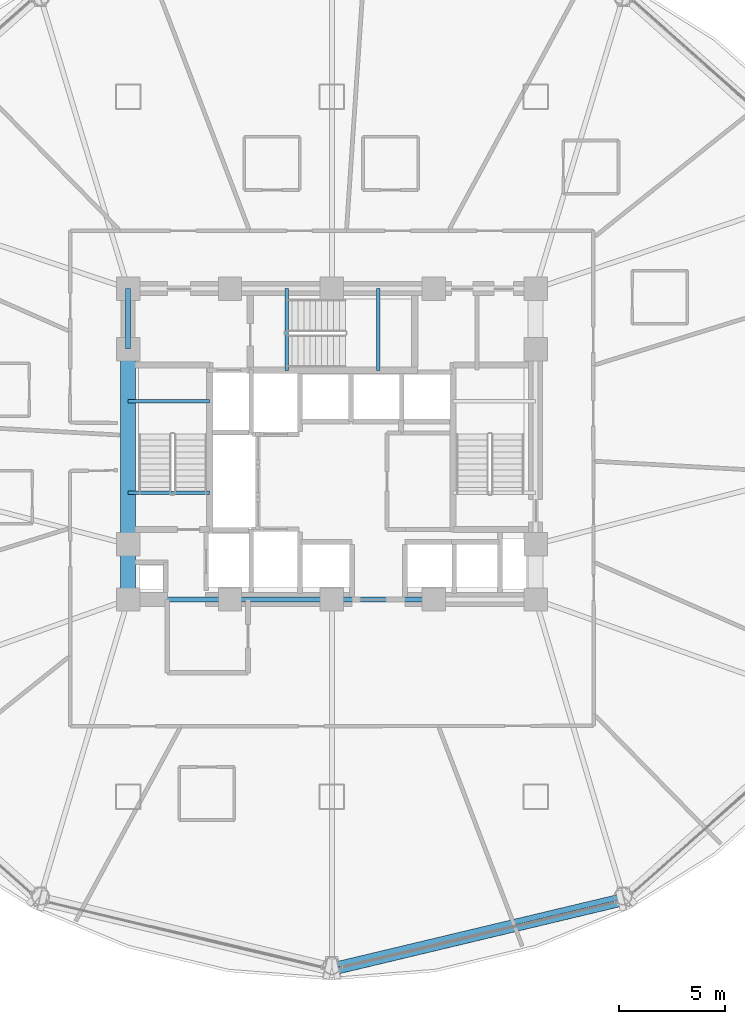
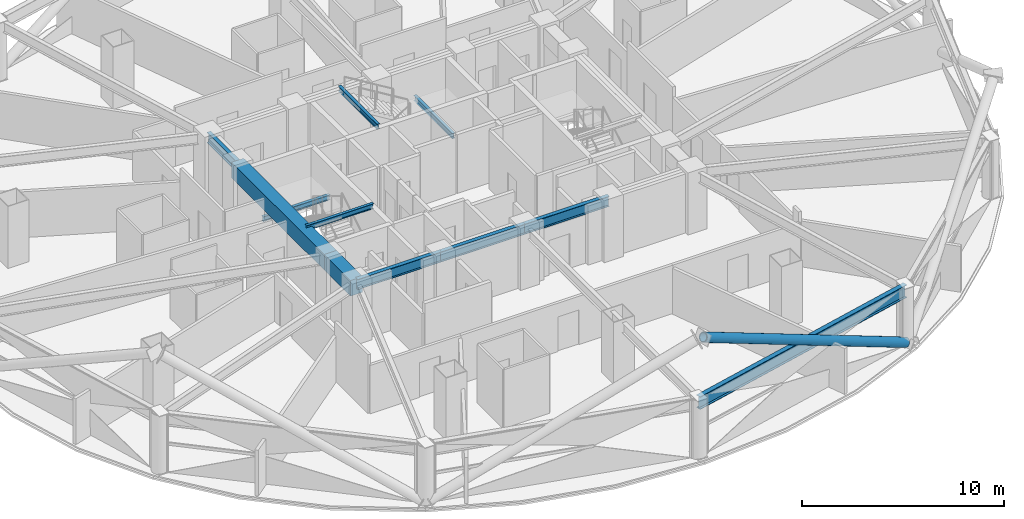
# One storey, part 7 of 30: 11 beams, 1 member.
"""IFC4 building model written with IfcOpenShell, lengths in metres."""

from ifc_helpers import new_model, si_unit, direction, frame, origin, origin_2d, place, context, subcontext, project, spatial, rectangle, hollow_circle, i_section, extrude, material, material_profile, profile_set, type_object, element, save


model = new_model("IFC4")

# Units and contexts
model_context = context("Model", 3, precision=1e-05, world=origin(), true_north=direction((0.0, 1.0)))
body_context = subcontext(model_context, "Body", "Model", "MODEL_VIEW")
ifc_project = project(units=[si_unit("LENGTHUNIT", "METRE"), si_unit("AREAUNIT", "SQUARE_METRE"), si_unit("VOLUMEUNIT", "CUBIC_METRE"), si_unit("PLANEANGLEUNIT", "RADIAN"), si_unit("MASSUNIT", "GRAM", prefix="KILO")], contexts=[model_context])

# Site, building, storey
site_placement = place(None, origin())
site = spatial("IfcSite", under=ifc_project, at=site_placement, CompositionType="ELEMENT")
building_placement = place(site_placement, origin())
building = spatial("IfcBuilding", under=site, at=building_placement, Name="Vantalir Tower", CompositionType="ELEMENT")
storey_placement = place(building_placement, frame((0.0, 0.0, 57.0)))
storey = spatial("IfcBuildingStorey", under=building, at=storey_placement, Name="L13", CompositionType="ELEMENT", Elevation=57.0)

# Beams
ifc_material_1 = material(Name="Concrete C60/75", Category="concrete")
ifc_material_profile_1 = material_profile(ifc_material_1, rectangle(XDim=0.699951171875, YDim=0.949951171875, at=origin_2d()), Name="Concrete C60/75")
ifc_profile_set_1 = profile_set([ifc_material_profile_1], Name="Concrete C60/75")
beam_type_1 = type_object("IfcBeamType", Name="BM-CB-700x950", PredefinedType="USERDEFINED", material=ifc_profile_set_1)
beam_1_placement = place(storey_placement, frame((21.89990234375, 29.60009765625, 3.094970703125), z_axis=(0.0, -1.0, 0.0), x_axis=(1.0, 0.0, 0.0)))
element("IfcBeam", 1, at=beam_1_placement, inside=storey, type_object=beam_type_1, Name="L13 Core Coupling Girder 13", ObjectType="GIRDER", PredefinedType="USERDEFINED", context=body_context, shape_type="SweptSolid", body=[
    extrude(rectangle(XDim=0.699951171875, YDim=0.949951171875, at=origin_2d()), origin(), (0.0, 0.0, 1.0), 9.2001953125),
])
beam_2_placement = place(storey_placement, frame((21.89990234375, 20.39990234375, 3.094970703125), z_axis=(0.0, -1.0, 0.0), x_axis=(1.0, 0.0, 0.0)))
element("IfcBeam", 2, at=beam_2_placement, inside=storey, type_object=beam_type_1, Name="L13 Core Coupling Girder 14", ObjectType="GIRDER", PredefinedType="USERDEFINED", context=body_context, shape_type="SweptSolid", body=[
    extrude(rectangle(XDim=0.699951171875, YDim=0.949951171875, at=origin_2d()), origin(), (0.0, 0.0, 1.0), 2.599853515625),
])
ifc_material_2 = material(Name="Steel S355", Category="steel")
ifc_material_profile_2 = material_profile(ifc_material_2, i_section(OverallWidth=0.166015625, OverallDepth=0.306884765625, WebThickness=0.006591796875, FlangeThickness=0.01171875, at=origin_2d()), Name="Steel S355")
ifc_profile_set_2 = profile_set([ifc_material_profile_2], Name="Steel S355")
beam_type_2 = type_object("IfcBeamType", Name="BM-JS-305x165", PredefinedType="JOIST", material=ifc_profile_set_2)
for number, where, z_axis, x_axis, name in (
    (3, (21.89990234375, 22.8349609375, 3.595947265625), (1.0, 0.0, 0.0), (0.0, 1.0, 0.0), "L14 Stair ST1 Well Nosing Trimmer Beam"),
    (4, (21.89990234375, 27.14501953125, 1.52099609375), (1.0, 0.0, 0.0), (0.0, 1.0, 0.0), "L13 Stair ST1 Half-Landing Support Beam"),
):
    element("IfcBeam", number, at=place(storey_placement, frame(where, z_axis=z_axis, x_axis=x_axis)), inside=storey, type_object=beam_type_2, Name=name, PredefinedType="JOIST", context=body_context, shape_type="SweptSolid", body=[
        extrude(i_section(OverallWidth=0.166015625, OverallDepth=0.306884765625, WebThickness=0.006591796875, FlangeThickness=0.01171875, at=origin_2d()), origin(), (0.0, 0.0, 1.0), 3.840087890625),
    ])
for number, where, z_axis, x_axis, name in (
    (5, (29.385009765625, 28.60009765625, 3.595947265625), (0.0, 1.0, 0.0), (-1.0, 0.0, 0.0), "L14 Stair ST3 Well Nosing Trimmer Beam"),
    (6, (33.695068359375, 28.60009765625, 1.52099609375), (0.0, 1.0, 0.0), (-1.0, 0.0, 0.0), "L13 Stair ST3 Half-Landing Support Beam"),
):
    element("IfcBeam", number, at=place(storey_placement, frame(where, z_axis=z_axis, x_axis=x_axis)), inside=storey, type_object=beam_type_2, Name=name, PredefinedType="JOIST", context=body_context, shape_type="SweptSolid", body=[
        extrude(i_section(OverallWidth=0.166015625, OverallDepth=0.306884765625, WebThickness=0.006591796875, FlangeThickness=0.01171875, at=origin_2d()), origin(), (0.0, 0.0, 1.0), 3.849853515625),
    ])
ifc_material_profile_3 = material_profile(ifc_material_2, i_section(OverallWidth=0.22998046875, OverallDepth=0.616943359375, WebThickness=0.01318359375, FlangeThickness=0.022216796875, at=origin_2d()), Name="Steel S355")
ifc_profile_set_3 = profile_set([ifc_material_profile_3], Name="Steel S355")
beam_type_3 = type_object("IfcBeamType", Name="BM-RB-610x229", PredefinedType="BEAM", material=ifc_profile_set_3)
for number, where, z_axis, x_axis, name in (
    (7, (21.89990234375, 17.800048828125, 3.261962890625), (1.0, 0.0, 0.0), (0.0, 1.0, 0.0), "L13 Core Coupling Girder 01"),
    (8, (26.699951171875, 17.800048828125, 3.261962890625), (1.0, 0.0, 0.0), (0.0, 1.0, 0.0), "L13 Core Coupling Girder 02"),
    (9, (31.5, 17.800048828125, 3.261962890625), (1.0, 0.0, 0.0), (0.0, 1.0, 0.0), "L13 Core Coupling Girder 03"),
):
    element("IfcBeam", number, at=place(storey_placement, frame(where, z_axis=z_axis, x_axis=x_axis)), inside=storey, type_object=beam_type_3, Name=name, PredefinedType="BEAM", context=body_context, shape_type="SweptSolid", body=[
        extrude(i_section(OverallWidth=0.22998046875, OverallDepth=0.616943359375, WebThickness=0.01318359375, FlangeThickness=0.022216796875, at=origin_2d()), origin(), (0.0, 0.0, 1.0), 4.800048828125),
    ])
beam_3_placement = place(storey_placement, frame((21.89990234375, 32.449951171875, 3.261962890625), z_axis=(0.0, -1.0, 0.0), x_axis=(1.0, 0.0, 0.0)))
element("IfcBeam", 10, at=beam_3_placement, inside=storey, type_object=beam_type_3, Name="L13 Core Coupling Girder 12", PredefinedType="BEAM", context=body_context, shape_type="SweptSolid", body=[
    extrude(i_section(OverallWidth=0.22998046875, OverallDepth=0.616943359375, WebThickness=0.01318359375, FlangeThickness=0.022216796875, at=origin_2d()), origin(), (0.0, 0.0, 1.0), 2.849853515625),
])
ifc_material_3 = material(Name="Steel S460", Category="steel")
ifc_material_profile_4 = material_profile(ifc_material_3, i_section(OverallWidth=0.26806640625, OverallDepth=0.77001953125, WebThickness=0.015625, FlangeThickness=0.025390625, at=origin_2d()), Name="Steel S460")
ifc_profile_set_4 = profile_set([ifc_material_profile_4], Name="Steel S460")
beam_type_4 = type_object("IfcBeamType", Name="BM-RG-762x267", PredefinedType="USERDEFINED", material=ifc_profile_set_4)
beam_4_placement = place(storey_placement, frame((31.5, 0.549072265625, 3.18505859375), z_axis=(0.97268207428, 0.232141298294, 0.0), x_axis=(-0.232141298294, 0.97268207428, 0.0)))
element("IfcBeam", 11, at=beam_4_placement, inside=storey, type_object=beam_type_4, Name="L13 Circumferential Ring Girder 10", ObjectType="GIRDER", PredefinedType="USERDEFINED", context=body_context, shape_type="SweptSolid", body=[
    extrude(i_section(OverallWidth=0.26806640625, OverallDepth=0.77001953125, WebThickness=0.015625, FlangeThickness=0.025390625, at=origin_2d()), origin(), (0.0, 0.0, 1.0), 14.111572265625),
])

# Member
ifc_material_profile_5 = material_profile(ifc_material_3, hollow_circle(Radius=0.27001953125, WallThickness=0.044921875, at=origin_2d()), Name="Steel S460")
ifc_profile_set_5 = profile_set([ifc_material_profile_5], Name="Steel S460")
member_type = type_object("IfcMemberType", Name="MEM-DB-540x45", PredefinedType="BRACE", material=ifc_profile_set_5)
member_placement = place(storey_placement, frame((45.1298828125, 3.614013671875, 0.178955078125), z_axis=(-0.868613187962, -0.207409289368, 0.449991684793), x_axis=(0.232252725931, -0.972655474101, 0.0)))
element("IfcMember", 12, at=member_placement, inside=storey, type_object=member_type, Name="L13 Perimeter S460 Diagrid Brace R31R", PredefinedType="BRACE", context=body_context, shape_type="SweptSolid", body=[
    extrude(hollow_circle(Radius=0.27001953125, WallThickness=0.044921875, at=origin_2d()), origin(), (0.0, 0.0, 1.0), 15.4716796875),
])

save(model, "model.ifc")
